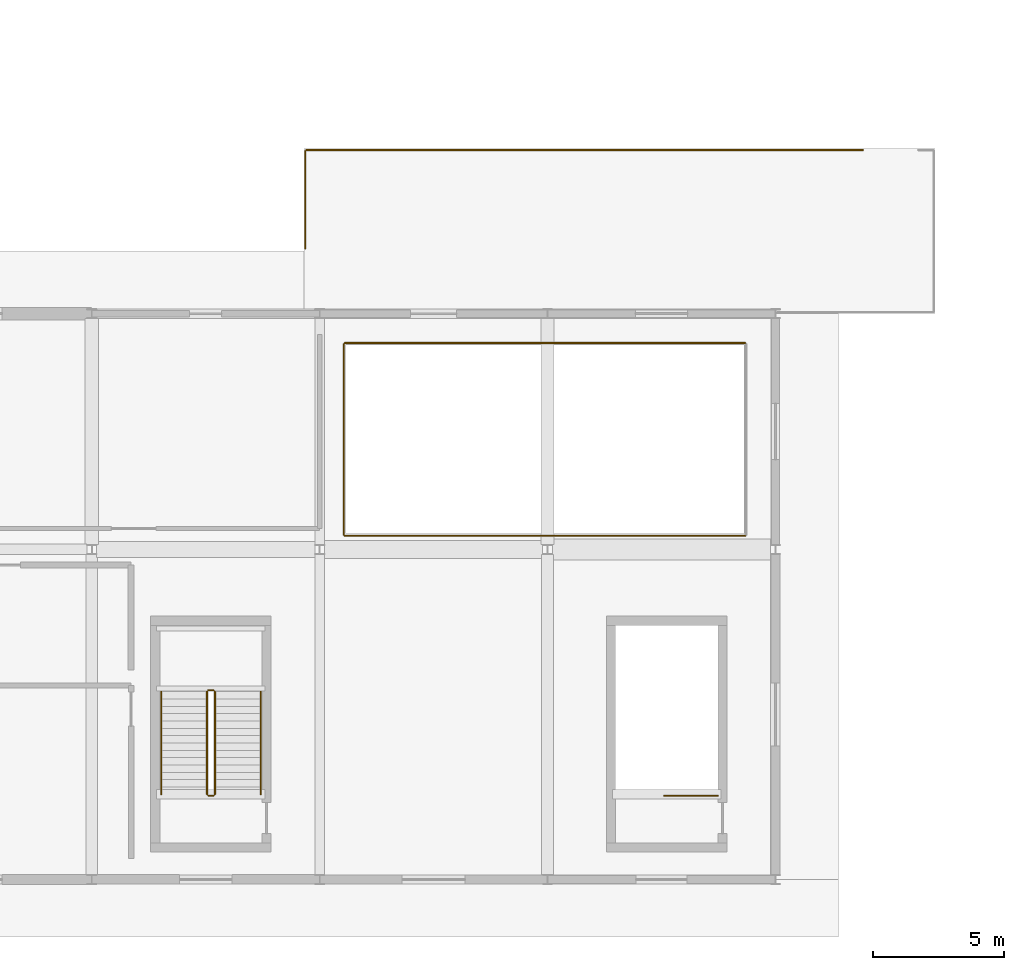
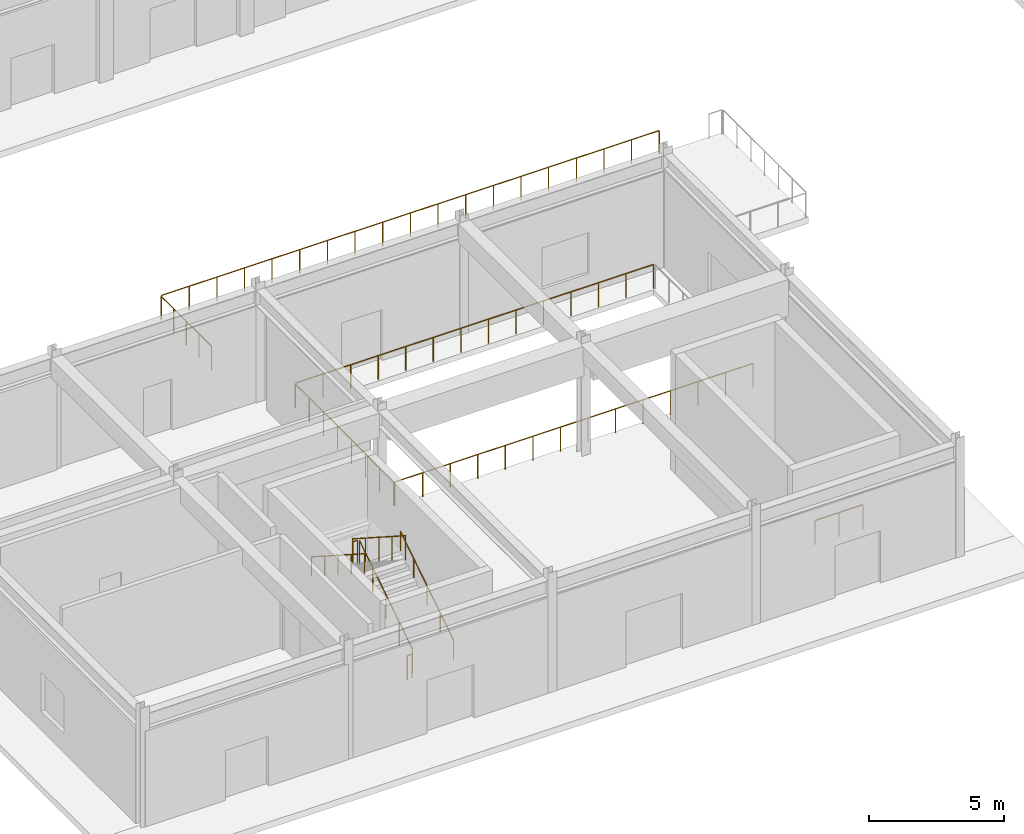
# One storey, part 81 of 91: 12 railings.
"""IFC4 building model written with IfcOpenShell, lengths in metres."""

from ifc_helpers import new_model, si_unit, direction, frame, origin, origin_2d, place, context, subcontext, project, spatial, circle, extrude, material, type_object, element, save


model = new_model("IFC4")

# Units and contexts
model_context = context("Model", 3, precision=1e-05, world=origin(), true_north=direction((0.0, 1.0)))
body_context = subcontext(model_context, "Body", "Model", "MODEL_VIEW")
ifc_project = project(units=[si_unit("LENGTHUNIT", "METRE"), si_unit("AREAUNIT", "SQUARE_METRE"), si_unit("VOLUMEUNIT", "CUBIC_METRE"), si_unit("PLANEANGLEUNIT", "RADIAN"), si_unit("MASSUNIT", "GRAM", prefix="KILO")], contexts=[model_context])

# Site, building, storey
site_placement = place(None, origin())
site = spatial("IfcSite", under=ifc_project, at=site_placement, CompositionType="ELEMENT")
building_placement = place(site_placement, origin())
building = spatial("IfcBuilding", under=site, at=building_placement, Name="Vaelkrest Opera House", CompositionType="ELEMENT")
storey_placement = place(building_placement, origin())
storey = spatial("IfcBuildingStorey", under=building, at=storey_placement, Name="L00", CompositionType="ELEMENT", Elevation=0.0)

# Railings
ifc_material = material(Name="Dark bronze anodized aluminium", Category="aluminium")
railing_type_1 = type_object("IfcRailingType", Name="GR01", PredefinedType="GUARDRAIL", material=ifc_material)
railing_1_placement = place(storey_placement, frame((-68.0400390625, -46.280029296875, 0.0)))
element("IfcRailing", 1, at=railing_1_placement, inside=storey, type_object=railing_type_1, Name="Atrium/stage void guard V5 L00-1 seg 1", PredefinedType="GUARDRAIL", context=body_context, shape_type="SweptSolid", body=[
    extrude(circle(Radius=0.02392578125, at=origin_2d()), frame((0.0, 0.0, 1.076171875), z_axis=(1.0, 0.0, 0.0), x_axis=(0.0, 1.0, 0.0)), (0.0, 0.0, 1.0), 15.280029296875),
    extrude(circle(Radius=0.02099609375, at=origin_2d()), origin(), (0.0, 0.0, 1.0), 1.052001953125),
    extrude(circle(Radius=0.02099609375, at=origin_2d()), frame((1.17529296875, 0.0, 0.0)), (0.0, 0.0, 1.0), 1.052001953125),
    extrude(circle(Radius=0.02099609375, at=origin_2d()), frame((2.350830078125, 0.0, 0.0)), (0.0, 0.0, 1.0), 1.052001953125),
    extrude(circle(Radius=0.02099609375, at=origin_2d()), frame((3.526123046875, 0.0, 0.0)), (0.0, 0.0, 1.0), 1.052001953125),
    extrude(circle(Radius=0.02099609375, at=origin_2d()), frame((4.70166015625, 0.0, 0.0)), (0.0, 0.0, 1.0), 1.052001953125),
    extrude(circle(Radius=0.02099609375, at=origin_2d()), frame((5.876953125, 0.0, 0.0)), (0.0, 0.0, 1.0), 1.052001953125),
    extrude(circle(Radius=0.02099609375, at=origin_2d()), frame((7.05224609375, 0.0, 0.0)), (0.0, 0.0, 1.0), 1.052001953125),
    extrude(circle(Radius=0.02099609375, at=origin_2d()), frame((8.227783203125, 0.0, 0.0)), (0.0, 0.0, 1.0), 1.052001953125),
    extrude(circle(Radius=0.02099609375, at=origin_2d()), frame((9.403076171875, 0.0, 0.0)), (0.0, 0.0, 1.0), 1.052001953125),
    extrude(circle(Radius=0.02099609375, at=origin_2d()), frame((10.578369140625, 0.0, 0.0)), (0.0, 0.0, 1.0), 1.052001953125),
    extrude(circle(Radius=0.02099609375, at=origin_2d()), frame((11.75390625, 0.0, 0.0)), (0.0, 0.0, 1.0), 1.052001953125),
    extrude(circle(Radius=0.02099609375, at=origin_2d()), frame((12.92919921875, 0.0, 0.0)), (0.0, 0.0, 1.0), 1.052001953125),
    extrude(circle(Radius=0.02099609375, at=origin_2d()), frame((14.104736328125, 0.0, 0.0)), (0.0, 0.0, 1.0), 1.052001953125),
    extrude(circle(Radius=0.02099609375, at=origin_2d()), frame((15.280029296875, 0.0, 0.0)), (0.0, 0.0, 1.0), 1.052001953125),
])
railing_2_placement = place(storey_placement, frame((-52.760009765625, -38.919921875, 0.0)))
element("IfcRailing", 2, at=railing_2_placement, inside=storey, type_object=railing_type_1, Name="Atrium/stage void guard V5 L00-1 seg 3", PredefinedType="GUARDRAIL", context=body_context, shape_type="SweptSolid", body=[
    extrude(circle(Radius=0.02392578125, at=origin_2d()), frame((0.0, 0.0, 1.076171875), z_axis=(-1.0, 0.0, 0.0), x_axis=(0.0, -1.0, 0.0)), (0.0, 0.0, 1.0), 15.280029296875),
    extrude(circle(Radius=0.02099609375, at=origin_2d()), origin(), (0.0, 0.0, 1.0), 1.052001953125),
    extrude(circle(Radius=0.02099609375, at=origin_2d()), frame((-1.17529296875, 0.0, 0.0)), (0.0, 0.0, 1.0), 1.052001953125),
    extrude(circle(Radius=0.02099609375, at=origin_2d()), frame((-2.350830078125, 0.0, 0.0)), (0.0, 0.0, 1.0), 1.052001953125),
    extrude(circle(Radius=0.02099609375, at=origin_2d()), frame((-3.526123046875, 0.0, 0.0)), (0.0, 0.0, 1.0), 1.052001953125),
    extrude(circle(Radius=0.02099609375, at=origin_2d()), frame((-4.70166015625, 0.0, 0.0)), (0.0, 0.0, 1.0), 1.052001953125),
    extrude(circle(Radius=0.02099609375, at=origin_2d()), frame((-5.876953125, 0.0, 0.0)), (0.0, 0.0, 1.0), 1.052001953125),
    extrude(circle(Radius=0.02099609375, at=origin_2d()), frame((-7.05224609375, 0.0, 0.0)), (0.0, 0.0, 1.0), 1.052001953125),
    extrude(circle(Radius=0.02099609375, at=origin_2d()), frame((-8.227783203125, 0.0, 0.0)), (0.0, 0.0, 1.0), 1.052001953125),
    extrude(circle(Radius=0.02099609375, at=origin_2d()), frame((-9.403076171875, 0.0, 0.0)), (0.0, 0.0, 1.0), 1.052001953125),
    extrude(circle(Radius=0.02099609375, at=origin_2d()), frame((-10.578369140625, 0.0, 0.0)), (0.0, 0.0, 1.0), 1.052001953125),
    extrude(circle(Radius=0.02099609375, at=origin_2d()), frame((-11.75390625, 0.0, 0.0)), (0.0, 0.0, 1.0), 1.052001953125),
    extrude(circle(Radius=0.02099609375, at=origin_2d()), frame((-12.92919921875, 0.0, 0.0)), (0.0, 0.0, 1.0), 1.052001953125),
    extrude(circle(Radius=0.02099609375, at=origin_2d()), frame((-14.104736328125, 0.0, 0.0)), (0.0, 0.0, 1.0), 1.052001953125),
    extrude(circle(Radius=0.02099609375, at=origin_2d()), frame((-15.280029296875, 0.0, 0.0)), (0.0, 0.0, 1.0), 1.052001953125),
])
railing_3_placement = place(storey_placement, frame((-68.080078125, -38.9599609375, 0.0)))
element("IfcRailing", 3, at=railing_3_placement, inside=storey, type_object=railing_type_1, Name="Atrium/stage void guard V5 L00-1 seg 4", PredefinedType="GUARDRAIL", context=body_context, shape_type="SweptSolid", body=[
    extrude(circle(Radius=0.02392578125, at=origin_2d()), frame((0.0, 0.0, 1.076171875), z_axis=(0.0, -1.0, 0.0), x_axis=(1.0, 0.0, 0.0)), (0.0, 0.0, 1.0), 7.280029296875),
    extrude(circle(Radius=0.02099609375, at=origin_2d()), origin(), (0.0, 0.0, 1.0), 1.052001953125),
    extrude(circle(Radius=0.02099609375, at=origin_2d()), frame((0.0, -1.0400390625, 0.0)), (0.0, 0.0, 1.0), 1.052001953125),
    extrude(circle(Radius=0.02099609375, at=origin_2d()), frame((0.0, -2.080078125, 0.0)), (0.0, 0.0, 1.0), 1.052001953125),
    extrude(circle(Radius=0.02099609375, at=origin_2d()), frame((0.0, -3.1201171875, 0.0)), (0.0, 0.0, 1.0), 1.052001953125),
    extrude(circle(Radius=0.02099609375, at=origin_2d()), frame((0.0, -4.159912109375, 0.0)), (0.0, 0.0, 1.0), 1.052001953125),
    extrude(circle(Radius=0.02099609375, at=origin_2d()), frame((0.0, -5.199951171875, 0.0)), (0.0, 0.0, 1.0), 1.052001953125),
    extrude(circle(Radius=0.02099609375, at=origin_2d()), frame((0.0, -6.239990234375, 0.0)), (0.0, 0.0, 1.0), 1.052001953125),
    extrude(circle(Radius=0.02099609375, at=origin_2d()), frame((0.0, -7.280029296875, 0.0)), (0.0, 0.0, 1.0), 1.052001953125),
])
railing_4_placement = place(storey_placement, frame((-69.550048828125, -35.31005859375, 0.0)))
element("IfcRailing", 4, at=railing_4_placement, inside=storey, type_object=railing_type_1, Name="Ramp arrival west-north guardrail seg 1", PredefinedType="GUARDRAIL", context=body_context, shape_type="SweptSolid", body=[
    extrude(circle(Radius=0.02392578125, at=origin_2d()), frame((0.0, 0.0, 1.076171875), z_axis=(0.0, 1.0, 0.0), x_axis=(-1.0, 0.0, 0.0)), (0.0, 0.0, 1.0), 3.719970703125),
    extrude(circle(Radius=0.02099609375, at=origin_2d()), origin(), (0.0, 0.0, 1.0), 1.052001953125),
    extrude(circle(Radius=0.02099609375, at=origin_2d()), frame((0.0, 0.929931640625, 0.0)), (0.0, 0.0, 1.0), 1.052001953125),
    extrude(circle(Radius=0.02099609375, at=origin_2d()), frame((0.0, 1.85986328125, 0.0)), (0.0, 0.0, 1.0), 1.052001953125),
    extrude(circle(Radius=0.02099609375, at=origin_2d()), frame((0.0, 2.7900390625, 0.0)), (0.0, 0.0, 1.0), 1.052001953125),
    extrude(circle(Radius=0.02099609375, at=origin_2d()), frame((0.0, 3.719970703125, 0.0)), (0.0, 0.0, 1.0), 1.052001953125),
])
railing_5_placement = place(storey_placement, frame((-69.510009765625, -31.550048828125, 0.0)))
element("IfcRailing", 5, at=railing_5_placement, inside=storey, type_object=railing_type_1, Name="Ramp arrival west-north guardrail seg 2", PredefinedType="GUARDRAIL", context=body_context, shape_type="SweptSolid", body=[
    extrude(circle(Radius=0.02392578125, at=origin_2d()), frame((0.0, 0.0, 1.076171875), z_axis=(1.0, 0.0, 0.0), x_axis=(0.0, 1.0, 0.0)), (0.0, 0.0, 1.0), 21.25),
    extrude(circle(Radius=0.02099609375, at=origin_2d()), origin(), (0.0, 0.0, 1.0), 1.052001953125),
    extrude(circle(Radius=0.02099609375, at=origin_2d()), frame((1.1806640625, 0.0, 0.0)), (0.0, 0.0, 1.0), 1.052001953125),
    extrude(circle(Radius=0.02099609375, at=origin_2d()), frame((2.361083984375, 0.0, 0.0)), (0.0, 0.0, 1.0), 1.052001953125),
    extrude(circle(Radius=0.02099609375, at=origin_2d()), frame((3.541748046875, 0.0, 0.0)), (0.0, 0.0, 1.0), 1.052001953125),
    extrude(circle(Radius=0.02099609375, at=origin_2d()), frame((4.72216796875, 0.0, 0.0)), (0.0, 0.0, 1.0), 1.052001953125),
    extrude(circle(Radius=0.02099609375, at=origin_2d()), frame((5.90283203125, 0.0, 0.0)), (0.0, 0.0, 1.0), 1.052001953125),
    extrude(circle(Radius=0.02099609375, at=origin_2d()), frame((7.083251953125, 0.0, 0.0)), (0.0, 0.0, 1.0), 1.052001953125),
    extrude(circle(Radius=0.02099609375, at=origin_2d()), frame((8.263916015625, 0.0, 0.0)), (0.0, 0.0, 1.0), 1.052001953125),
    extrude(circle(Radius=0.02099609375, at=origin_2d()), frame((9.4443359375, 0.0, 0.0)), (0.0, 0.0, 1.0), 1.052001953125),
    extrude(circle(Radius=0.02099609375, at=origin_2d()), frame((10.625, 0.0, 0.0)), (0.0, 0.0, 1.0), 1.052001953125),
    extrude(circle(Radius=0.02099609375, at=origin_2d()), frame((11.8056640625, 0.0, 0.0)), (0.0, 0.0, 1.0), 1.052001953125),
    extrude(circle(Radius=0.02099609375, at=origin_2d()), frame((12.986083984375, 0.0, 0.0)), (0.0, 0.0, 1.0), 1.052001953125),
    extrude(circle(Radius=0.02099609375, at=origin_2d()), frame((14.166748046875, 0.0, 0.0)), (0.0, 0.0, 1.0), 1.052001953125),
    extrude(circle(Radius=0.02099609375, at=origin_2d()), frame((15.34716796875, 0.0, 0.0)), (0.0, 0.0, 1.0), 1.052001953125),
    extrude(circle(Radius=0.02099609375, at=origin_2d()), frame((16.52783203125, 0.0, 0.0)), (0.0, 0.0, 1.0), 1.052001953125),
    extrude(circle(Radius=0.02099609375, at=origin_2d()), frame((17.708251953125, 0.0, 0.0)), (0.0, 0.0, 1.0), 1.052001953125),
    extrude(circle(Radius=0.02099609375, at=origin_2d()), frame((18.888916015625, 0.0, 0.0)), (0.0, 0.0, 1.0), 1.052001953125),
    extrude(circle(Radius=0.02099609375, at=origin_2d()), frame((20.0693359375, 0.0, 0.0)), (0.0, 0.0, 1.0), 1.052001953125),
    extrude(circle(Radius=0.02099609375, at=origin_2d()), frame((21.25, 0.0, 0.0)), (0.0, 0.0, 1.0), 1.052001953125),
])
railing_type_2 = type_object("IfcRailingType", Name="GR02", PredefinedType="GUARDRAIL", material=ifc_material)
railing_6_placement = place(storey_placement, frame((-73.0, -56.14990234375, 0.179931640625)))
element("IfcRailing", 6, at=railing_6_placement, inside=storey, type_object=railing_type_2, Name="L00 ST11 stair guard 1", PredefinedType="GUARDRAIL", context=body_context, shape_type="SweptSolid", body=[
    extrude(circle(Radius=0.02392578125, at=origin_2d()), frame((0.0, 0.0, 1.076171875), z_axis=(0.0, 0.841171666519, 0.540768182723), x_axis=(-1.0, 0.0, 0.0)), (0.0, 0.0, 1.0), 4.66015625),
    extrude(circle(Radius=0.02099609375, at=origin_2d()), origin(), (0.0, 0.0, 1.0), 1.052001953125),
    extrude(circle(Radius=0.02099609375, at=origin_2d()), frame((0.0, 0.97998046875, 0.6298828125)), (0.0, 0.0, 1.0), 1.052001953125),
    extrude(circle(Radius=0.02099609375, at=origin_2d()), frame((0.0, 1.9599609375, 1.260009765625)), (0.0, 0.0, 1.0), 1.052001953125),
    extrude(circle(Radius=0.02099609375, at=origin_2d()), frame((0.0, 2.93994140625, 1.89013671875)), (0.0, 0.0, 1.0), 1.052001953125),
    extrude(circle(Radius=0.02099609375, at=origin_2d()), frame((0.0, 3.919921875, 2.52001953125)), (0.0, 0.0, 1.0), 1.052001953125),
])
railing_7_placement = place(storey_placement, frame((-73.050048828125, -52.179931640625, 2.699951171875)))
element("IfcRailing", 7, at=railing_7_placement, inside=storey, type_object=railing_type_2, Name="L00 ST11 stair guard 2", PredefinedType="GUARDRAIL", context=body_context, shape_type="SweptSolid", body=[
    extrude(circle(Radius=0.02392578125, at=origin_2d()), frame((0.0, 0.0, 1.076171875), z_axis=(-1.0, 0.0, 0.0), x_axis=(0.0, -1.0, 0.0)), (0.0, 0.0, 1.0), 0.199951171875),
    extrude(circle(Radius=0.02099609375, at=origin_2d()), origin(), (0.0, 0.0, 1.0), 1.052001953125),
    extrude(circle(Radius=0.02099609375, at=origin_2d()), frame((-0.199951171875, 0.0, 0.0)), (0.0, 0.0, 1.0), 1.052001953125),
])
railing_8_placement = place(storey_placement, frame((-73.300048828125, -52.22998046875, 2.8798828125)))
element("IfcRailing", 8, at=railing_8_placement, inside=storey, type_object=railing_type_2, Name="L00 ST11 stair guard 3", PredefinedType="GUARDRAIL", context=body_context, shape_type="SweptSolid", body=[
    extrude(circle(Radius=0.02392578125, at=origin_2d()), frame((0.0, 0.0, 1.076171875), z_axis=(0.0, -0.841171666519, 0.540768182723), x_axis=(1.0, 0.0, 0.0)), (0.0, 0.0, 1.0), 4.66015625),
    extrude(circle(Radius=0.02099609375, at=origin_2d()), origin(), (0.0, 0.0, 1.0), 1.052001953125),
    extrude(circle(Radius=0.02099609375, at=origin_2d()), frame((0.0, -0.97998046875, 0.6298828125)), (0.0, 0.0, 1.0), 1.052001953125),
    extrude(circle(Radius=0.02099609375, at=origin_2d()), frame((0.0, -1.9599609375, 1.260009765625)), (0.0, 0.0, 1.0), 1.052001953125),
    extrude(circle(Radius=0.02099609375, at=origin_2d()), frame((0.0, -2.93994140625, 1.89013671875)), (0.0, 0.0, 1.0), 1.052001953125),
    extrude(circle(Radius=0.02099609375, at=origin_2d()), frame((0.0, -3.919921875, 2.52001953125)), (0.0, 0.0, 1.0), 1.052001953125),
])
railing_9_placement = place(storey_placement, frame((-73.050048828125, -56.199951171875, 0.0)))
element("IfcRailing", 9, at=railing_9_placement, inside=storey, type_object=railing_type_2, Name="L00 ST11 stair guard 4", PredefinedType="GUARDRAIL", context=body_context, shape_type="SweptSolid", body=[
    extrude(circle(Radius=0.02392578125, at=origin_2d()), frame((0.0, 0.0, 1.076171875), z_axis=(-1.0, 0.0, 0.0), x_axis=(0.0, -1.0, 0.0)), (0.0, 0.0, 1.0), 0.199951171875),
    extrude(circle(Radius=0.02099609375, at=origin_2d()), origin(), (0.0, 0.0, 1.0), 1.052001953125),
    extrude(circle(Radius=0.02099609375, at=origin_2d()), frame((-0.199951171875, 0.0, 0.0)), (0.0, 0.0, 1.0), 1.052001953125),
])
railing_10_placement = place(storey_placement, frame((-53.800048828125, -56.199951171875, 0.0)))
element("IfcRailing", 10, at=railing_10_placement, inside=storey, type_object=railing_type_2, Name="L00 ST12 top well guard 1", PredefinedType="GUARDRAIL", context=body_context, shape_type="SweptSolid", body=[
    extrude(circle(Radius=0.02392578125, at=origin_2d()), frame((0.0, 0.0, 1.076171875), z_axis=(-1.0, 0.0, 0.0), x_axis=(0.0, -1.0, 0.0)), (0.0, 0.0, 1.0), 2.050048828125),
    extrude(circle(Radius=0.02099609375, at=origin_2d()), origin(), (0.0, 0.0, 1.0), 1.052001953125),
    extrude(circle(Radius=0.02099609375, at=origin_2d()), frame((-1.02490234375, 0.0, 0.0)), (0.0, 0.0, 1.0), 1.052001953125),
    extrude(circle(Radius=0.02099609375, at=origin_2d()), frame((-2.050048828125, 0.0, 0.0)), (0.0, 0.0, 1.0), 1.052001953125),
])
railing_type_3 = type_object("IfcRailingType", Name="HR02", PredefinedType="HANDRAIL", material=ifc_material)
railing_11_placement = place(storey_placement, frame((-71.25, -56.14990234375, 0.179931640625)))
element("IfcRailing", 11, at=railing_11_placement, inside=storey, type_object=railing_type_3, Name="L00 ST11 stair handrail 1", PredefinedType="HANDRAIL", context=body_context, shape_type="SweptSolid", body=[
    extrude(circle(Radius=0.02392578125, at=origin_2d()), frame((0.0, 0.0, 0.8759765625), z_axis=(0.0, 0.841171666519, 0.540768182723), x_axis=(-1.0, 0.0, 0.0)), (0.0, 0.0, 1.0), 4.66015625),
    extrude(circle(Radius=0.02099609375, at=origin_2d()), origin(), (0.0, 0.0, 1.0), 0.851806640625),
    extrude(circle(Radius=0.02099609375, at=origin_2d()), frame((0.0, 0.97998046875, 0.6298828125)), (0.0, 0.0, 1.0), 0.851806640625),
    extrude(circle(Radius=0.02099609375, at=origin_2d()), frame((0.0, 1.9599609375, 1.260009765625)), (0.0, 0.0, 1.0), 0.851806640625),
    extrude(circle(Radius=0.02099609375, at=origin_2d()), frame((0.0, 2.93994140625, 1.89013671875)), (0.0, 0.0, 1.0), 0.851806640625),
    extrude(circle(Radius=0.02099609375, at=origin_2d()), frame((0.0, 3.919921875, 2.52001953125)), (0.0, 0.0, 1.0), 0.851806640625),
])
railing_12_placement = place(storey_placement, frame((-75.050048828125, -52.22998046875, 2.8798828125)))
element("IfcRailing", 12, at=railing_12_placement, inside=storey, type_object=railing_type_3, Name="L00 ST11 stair handrail 2", PredefinedType="HANDRAIL", context=body_context, shape_type="SweptSolid", body=[
    extrude(circle(Radius=0.02392578125, at=origin_2d()), frame((0.0, 0.0, 0.8759765625), z_axis=(0.0, -0.841171666519, 0.540768182723), x_axis=(1.0, 0.0, 0.0)), (0.0, 0.0, 1.0), 4.66015625),
    extrude(circle(Radius=0.02099609375, at=origin_2d()), origin(), (0.0, 0.0, 1.0), 0.851806640625),
    extrude(circle(Radius=0.02099609375, at=origin_2d()), frame((0.0, -0.97998046875, 0.6298828125)), (0.0, 0.0, 1.0), 0.851806640625),
    extrude(circle(Radius=0.02099609375, at=origin_2d()), frame((0.0, -1.9599609375, 1.260009765625)), (0.0, 0.0, 1.0), 0.851806640625),
    extrude(circle(Radius=0.02099609375, at=origin_2d()), frame((0.0, -2.93994140625, 1.89013671875)), (0.0, 0.0, 1.0), 0.851806640625),
    extrude(circle(Radius=0.02099609375, at=origin_2d()), frame((0.0, -3.919921875, 2.52001953125)), (0.0, 0.0, 1.0), 0.851806640625),
])

save(model, "model.ifc")
